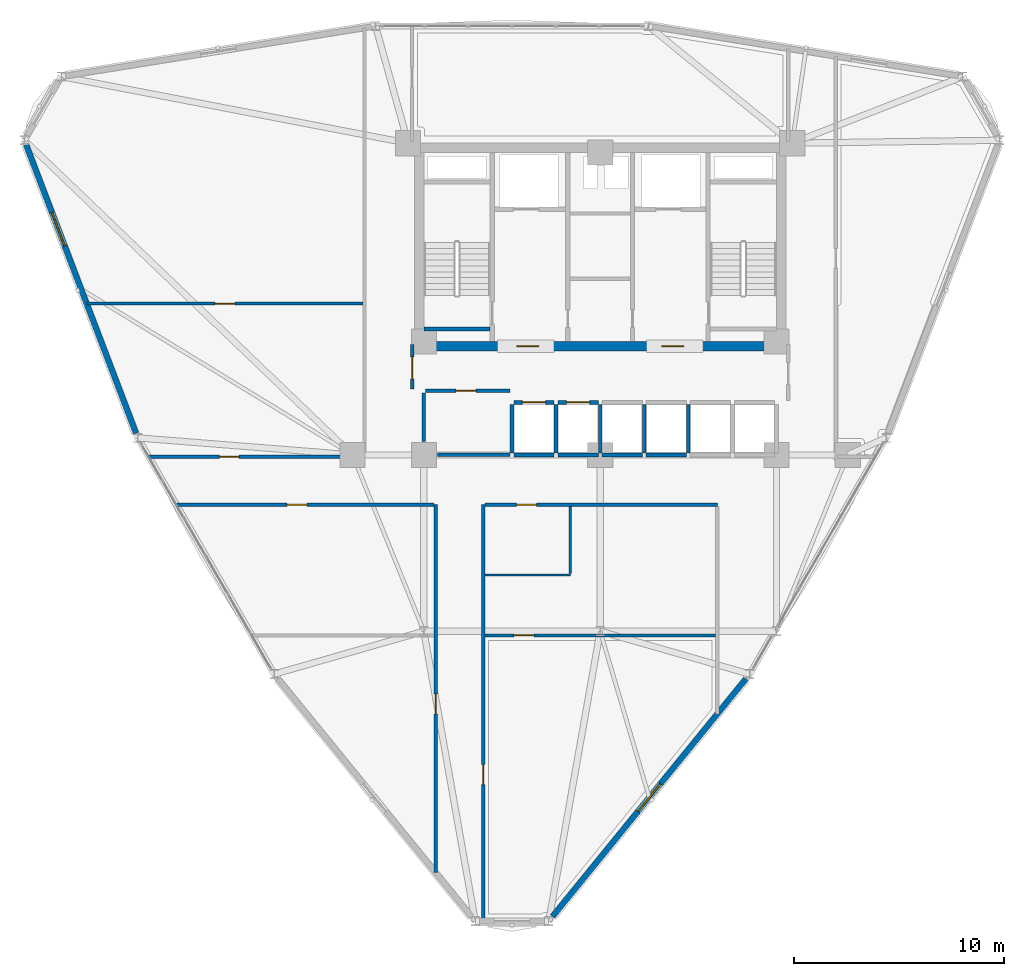
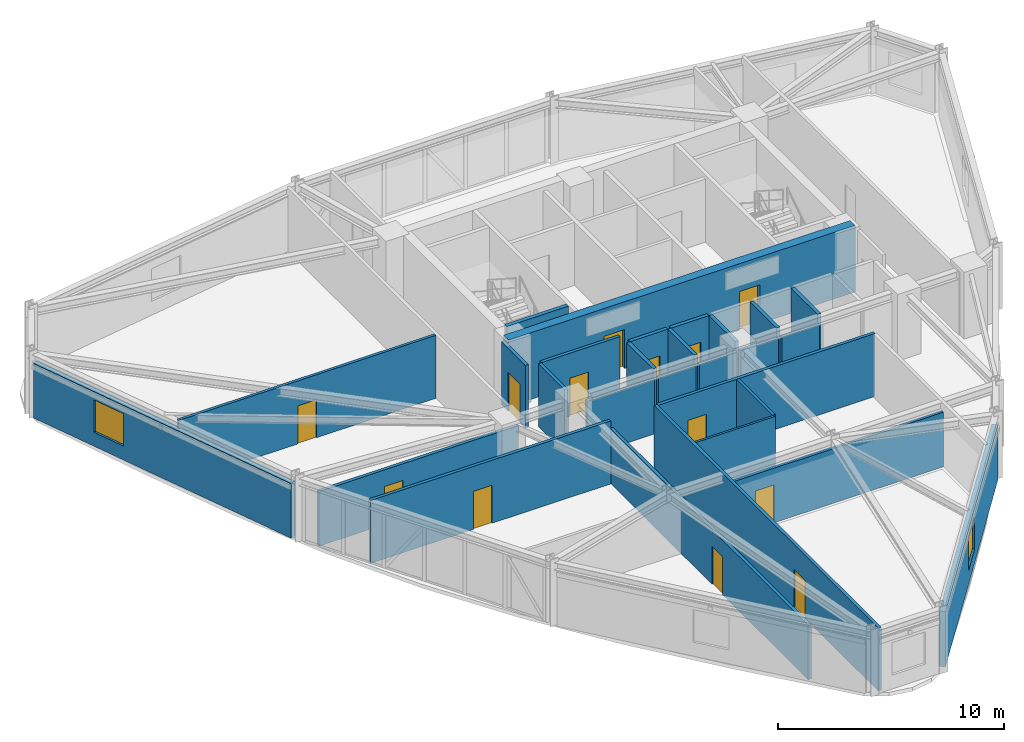
# One storey, part 10 of 15: 28 walls, 13 doors, 2 windows, 15 openings.
"""IFC4 building model written with IfcOpenShell, lengths in metres."""

from ifc_helpers import new_model, si_unit, derived_unit, direction, frame, frame_2d, origin, place, context, subcontext, project, spatial, rectangle, extrude, material, layer, layer_set, type_object, element, fill, save


model = new_model("IFC4")

# Units and contexts
model_context = context("Model", 3, precision=1e-05, world=origin(), true_north=direction((0.0, 1.0)))
body_context = subcontext(model_context, "Body", "Model", "MODEL_VIEW")
ifc_project = project(units=[si_unit("LENGTHUNIT", "METRE"), si_unit("AREAUNIT", "SQUARE_METRE"), si_unit("VOLUMEUNIT", "CUBIC_METRE"), si_unit("PLANEANGLEUNIT", "RADIAN"), si_unit("MASSUNIT", "GRAM", prefix="KILO"), derived_unit("THERMALTRANSMITTANCEUNIT", [(si_unit("POWERUNIT", "WATT"), 1), (si_unit("LENGTHUNIT", "METRE"), -2), (si_unit("THERMODYNAMICTEMPERATUREUNIT", "KELVIN"), -1)])], contexts=[model_context])

# Site, building, storey
site_placement = place(None, origin())
site = spatial("IfcSite", under=ifc_project, at=site_placement, CompositionType="ELEMENT")
building_placement = place(site_placement, origin())
building = spatial("IfcBuilding", under=site, at=building_placement, Name="Korsvarv Bourse and Concert Hall", CompositionType="ELEMENT")
storey_placement = place(building_placement, frame((0.0, 0.0, 150.60009765625)))
storey = spatial("IfcBuildingStorey", under=building, at=storey_placement, Name="L38", CompositionType="ELEMENT", Elevation=150.60009765625)

# Wall
ifc_material_1 = material(Name="Concrete C50/60", Category="concrete")
ifc_layer_1 = layer(ifc_material_1, 0.3798828125)
ifc_layer_set_1 = layer_set([ifc_layer_1], Name="Concrete C50/60")
wall_type_1 = type_object("IfcWallType", Name="WL-CORE-380", PredefinedType="SHEAR", material=ifc_layer_set_1)
wall_1_placement = place(storey_placement, frame((27.610107421875, 38.39990234375, 0.0), z_axis=(0.0, 0.0, 1.0), x_axis=(1.0, 0.0, 0.0)))
element("IfcWall", 1, at=wall_1_placement, inside=storey, type_object=wall_type_1, Name="L38 stair shaft structural wall W-L38-ST1-S", PredefinedType="SHEAR", context=body_context, shape_type="SweptSolid", body=[
    extrude(rectangle(XDim=3.139892578125, YDim=0.199951171875, at=frame_2d((1.56982421875, 0.0))), origin(), (0.0, 0.0, 1.0), 3.599853515625),
])

# Wall, openings, doors
ifc_material_2 = material(Name="Concrete C55/67", Category="concrete")
ifc_layer_2 = layer(ifc_material_2, 0.449951171875)
ifc_layer_set_2 = layer_set([ifc_layer_2], Name="Concrete C55/67")
wall_type_2 = type_object("IfcWallType", Name="WL-CORE-450", PredefinedType="SHEAR", material=ifc_layer_set_2)
wall_2_placement = place(storey_placement, frame((27.14990234375, 37.574951171875, 0.0), z_axis=(0.0, 0.0, 1.0), x_axis=(1.0, 0.0, 0.0)))
wall_2 = element("IfcWall", 2, at=wall_2_placement, inside=storey, type_object=wall_type_2, Name="L38 South Core Shear Wall", PredefinedType="SHEAR", context=body_context, shape_type="SweptSolid", body=[
    extrude(rectangle(XDim=17.7001953125, YDim=0.449951171875, at=frame_2d((8.85009765625, 0.0))), origin(), (0.0, 0.0, 1.0), 3.599853515625),
])
opening_1_placement = place(wall_2_placement, frame((4.875, 0.0, 0.0)))
opening_1 = element("IfcOpeningElement", 3, at=opening_1_placement, cuts=wall_2, Name="Opening D-01", PredefinedType="OPENING", context=body_context, shape_type="SweptSolid", body=[
    extrude(rectangle(XDim=1.050048828125, YDim=2.10009765625, at=frame_2d((0.52490234375, 1.050048828125))), frame((0.0, 0.23486328125, 0.0), z_axis=(0.0, -1.0, 0.0), x_axis=(1.0, 0.0, 0.0)), (0.0, 0.0, 1.0), 0.469970703125),
])
opening_2_placement = place(wall_2_placement, frame((11.77490234375, 0.0, 0.0)))
opening_2 = element("IfcOpeningElement", 4, at=opening_2_placement, cuts=wall_2, Name="Opening D-01", PredefinedType="OPENING", context=body_context, shape_type="SweptSolid", body=[
    extrude(rectangle(XDim=1.050048828125, YDim=2.10009765625, at=frame_2d((0.52490234375, 1.050048828125))), frame((0.0, 0.23486328125, 0.0), z_axis=(0.0, -1.0, 0.0), x_axis=(1.0, 0.0, 0.0)), (0.0, 0.0, 1.0), 0.469970703125),
])
ifc_material_3 = material(Name="Steel S355 fire door", Category="steel")
door_type_1 = type_object("IfcDoorType", Name="DR-FD60", OperationType="NOTDEFINED", PredefinedType="DOOR", material=ifc_material_3)
door_1_placement = place(opening_1_placement, frame((1.050048828125, 0.0, 0.0), z_axis=(0.0, 0.0, 1.0), x_axis=(-1.0, 0.0, 0.0)))
door_1 = element("IfcDoor", 5, at=door_1_placement, inside=storey, type_object=door_type_1, Name="L38 firefighting lobby fire door DR-L38-FFLW", OperationType="SINGLE_SWING_LEFT", OverallHeight=2.10009765625, OverallWidth=1.050048828125, PredefinedType="DOOR", context=body_context, shape_type="SweptSolid", body=[
    extrude(rectangle(XDim=1.050048828125, YDim=2.10009765625, at=frame_2d((0.52490234375, 1.050048828125))), frame((0.0, 0.02490234375, 0.0), z_axis=(0.0, -1.0, 0.0), x_axis=(1.0, 0.0, 0.0)), (0.0, 0.0, 1.0), 0.050048828125),
])
fill(opening_1, door_1)
door_2_placement = place(opening_2_placement, frame((1.050048828125, 0.0, 0.0), z_axis=(0.0, 0.0, 1.0), x_axis=(-1.0, 0.0, 0.0)))
door_2 = element("IfcDoor", 6, at=door_2_placement, inside=storey, type_object=door_type_1, Name="L38 firefighting lobby fire door DR-L38-FFLE", OperationType="SINGLE_SWING_RIGHT", OverallHeight=2.10009765625, OverallWidth=1.050048828125, PredefinedType="DOOR", context=body_context, shape_type="SweptSolid", body=[
    extrude(rectangle(XDim=1.050048828125, YDim=2.10009765625, at=frame_2d((0.52490234375, 1.050048828125))), frame((0.0, 0.02490234375, 0.0), z_axis=(0.0, -1.0, 0.0), x_axis=(1.0, 0.0, 0.0)), (0.0, 0.0, 1.0), 0.050048828125),
])
fill(opening_2, door_2)

# Wall, opening, window
ifc_material_4 = material(Name="Precast concrete C45/55 with fluted terracotta pier", Category="concrete")
ifc_layer_3 = layer(ifc_material_4, 0.280029296875)
ifc_layer_set_3 = layer_set([ifc_layer_3], Name="Precast concrete C45/55 with fluted terracotta pier")
wall_type_3 = type_object("IfcWallType", Name="WL-EXT-TC2", PredefinedType="SOLIDWALL", material=ifc_layer_set_3)
wall_3_placement = place(storey_placement, frame((8.65087890625, 47.16748046875, 0.0), z_axis=(0.0, 0.0, 1.0), x_axis=(0.356077530784, -0.934456415287, 0.0)))
wall_3 = element("IfcWall", 7, at=wall_3_placement, inside=storey, type_object=wall_type_3, Name="L38 terracotta exterior wall EW-L38-B06", PredefinedType="SOLIDWALL", context=body_context, shape_type="SweptSolid", body=[
    extrude(rectangle(XDim=14.69677734375, YDim=0.280029296875, at=frame_2d((7.348388671875, 0.0))), origin(), (0.0, 0.0, 1.0), 2.949951171875),
])
opening_3_placement = place(wall_3_placement, frame((3.44921875, 0.0, 0.75)))
opening_3 = element("IfcOpeningElement", 8, at=opening_3_placement, cuts=wall_3, Name="Opening W-01", PredefinedType="OPENING", context=body_context, shape_type="SweptSolid", body=[
    extrude(rectangle(XDim=1.699951171875, YDim=1.75, at=frame_2d((0.85009765625, 0.875))), frame((0.0, 0.14990234375, 0.0), z_axis=(0.0, -1.0, 0.0), x_axis=(1.0, 0.0, 0.0)), (0.0, 0.0, 1.0), 0.300048828125),
])
ifc_material_5 = material(Name="Thermally broken aluminium frame with triple low-E glass", Category="glass")
window_type = type_object("IfcWindowType", Name="WIN-TW1", PartitioningType="SINGLE_PANEL", PredefinedType="WINDOW", material=ifc_material_5)
window_1_placement = place(opening_3_placement, origin())
window_1 = element("IfcWindow", 9, at=window_1_placement, inside=storey, type_object=window_type, Name="L38 punched facade window W-01", OverallHeight=1.75, OverallWidth=1.699951171875, PartitioningType="SINGLE_PANEL", PredefinedType="WINDOW", context=body_context, shape_type="SweptSolid", body=[
    extrude(rectangle(XDim=1.699951171875, YDim=1.75, at=frame_2d((0.85009765625, 0.875))), frame((0.0, 0.030029296875, 0.0), z_axis=(0.0, -1.0, 0.0), x_axis=(1.0, 0.0, 0.0)), (0.0, 0.0, 1.0), 0.06005859375),
])
fill(opening_3, window_1)

wall_4_placement = place(storey_placement, frame((33.73388671875, 10.40625, 0.0), z_axis=(0.0, 0.0, 1.0), x_axis=(0.631219465915, 0.775604271423, 0.0)))
wall_4 = element("IfcWall", 10, at=wall_4_placement, inside=storey, type_object=wall_type_3, Name="L38 terracotta exterior wall EW-L38-B10", PredefinedType="SOLIDWALL", context=body_context, shape_type="SweptSolid", body=[
    extrude(rectangle(XDim=14.599365234375, YDim=0.280029296875, at=frame_2d((7.2998046875, 0.0))), origin(), (0.0, 0.0, 1.0), 3.0),
])
opening_4_placement = place(wall_4_placement, frame((6.44970703125, 0.0, 0.75)))
opening_4 = element("IfcOpeningElement", 11, at=opening_4_placement, cuts=wall_4, Name="Opening W-01", PredefinedType="OPENING", context=body_context, shape_type="SweptSolid", body=[
    extrude(rectangle(XDim=1.699951171875, YDim=1.75, at=frame_2d((0.85009765625, 0.875))), frame((0.0, 0.14990234375, 0.0), z_axis=(0.0, -1.0, 0.0), x_axis=(1.0, 0.0, 0.0)), (0.0, 0.0, 1.0), 0.300048828125),
])
window_2_placement = place(opening_4_placement, origin())
window_2 = element("IfcWindow", 12, at=window_2_placement, inside=storey, type_object=window_type, Name="L38 punched facade window W-01", OverallHeight=1.75, OverallWidth=1.699951171875, PartitioningType="SINGLE_PANEL", PredefinedType="WINDOW", context=body_context, shape_type="SweptSolid", body=[
    extrude(rectangle(XDim=1.699951171875, YDim=1.75, at=frame_2d((0.85009765625, 0.875))), frame((0.0, 0.030029296875, 0.0), z_axis=(0.0, -1.0, 0.0), x_axis=(1.0, 0.0, 0.0)), (0.0, 0.0, 1.0), 0.06005859375),
])
fill(opening_4, window_2)

# Walls
ifc_material_6 = material(Name="Double-stud fire-rated acoustic partition", Category="gypsum")
ifc_layer_4 = layer(ifc_material_6, 0.159912109375)
ifc_layer_set_4 = layer_set([ifc_layer_4], Name="Double-stud fire-rated acoustic partition")
wall_type_4 = type_object("IfcWallType", Name="WL-INT-EI60", PredefinedType="PARTITIONING", material=ifc_layer_set_4)
wall_5_placement = place(storey_placement, frame((28.25, 32.39990234375, 0.0), z_axis=(0.0, 0.0, 1.0), x_axis=(1.0, 0.0, 0.0)))
element("IfcWall", 13, at=wall_5_placement, inside=storey, type_object=wall_type_4, Name="L38 interior partition wall W-L38-FRD-S", PredefinedType="PARTITIONING", context=body_context, shape_type="SweptSolid", body=[
    extrude(rectangle(XDim=3.449951171875, YDim=0.159912109375, at=frame_2d((1.72509765625, 0.0))), origin(), (0.0, 0.0, 1.0), 2.949951171875),
])
wall_6_placement = place(storey_placement, frame((27.60009765625, 33.050048828125, 0.0), z_axis=(0.0, 0.0, 1.0), x_axis=(0.0, 1.0, 0.0)))
element("IfcWall", 14, at=wall_6_placement, inside=storey, type_object=wall_type_4, Name="L38 interior partition wall W-L38-FRD-W", PredefinedType="PARTITIONING", context=body_context, shape_type="SweptSolid", body=[
    extrude(rectangle(XDim=2.31005859375, YDim=0.159912109375, at=frame_2d((1.155029296875, 0.0))), origin(), (0.0, 0.0, 1.0), 3.39990234375),
])

# Wall, opening, door
wall_7_placement = place(storey_placement, frame((27.68994140625, 35.449951171875, 0.0), z_axis=(0.0, 0.0, 1.0), x_axis=(1.0, 0.0, 0.0)))
wall_7 = element("IfcWall", 15, at=wall_7_placement, inside=storey, type_object=wall_type_4, Name="L38 interior partition wall W-L38-FRD-N", PredefinedType="PARTITIONING", context=body_context, shape_type="SweptSolid", body=[
    extrude(rectangle(XDim=4.010009765625, YDim=0.159912109375, at=frame_2d((2.0048828125, 0.0))), origin(), (0.0, 0.0, 1.0), 3.39990234375),
])
opening_5_placement = place(wall_7_placement, frame((1.449951171875, 0.0, 0.0)))
opening_5 = element("IfcOpeningElement", 16, at=opening_5_placement, cuts=wall_7, Name="Opening D-03", PredefinedType="OPENING", context=body_context, shape_type="SweptSolid", body=[
    extrude(rectangle(XDim=0.949951171875, YDim=2.050048828125, at=frame_2d((0.47509765625, 1.02490234375))), frame((0.0, 0.08984375, 0.0), z_axis=(0.0, -1.0, 0.0), x_axis=(1.0, 0.0, 0.0)), (0.0, 0.0, 1.0), 0.179931640625),
])
ifc_material_7 = material(Name="Nordic oak acoustic office door", Category="wood")
door_type_2 = type_object("IfcDoorType", Name="DR-INT-1", OperationType="NOTDEFINED", PredefinedType="DOOR", material=ifc_material_7)
door_3_placement = place(opening_5_placement, origin())
door_3 = element("IfcDoor", 17, at=door_3_placement, inside=storey, type_object=door_type_2, Name="L38 interior door DR-L38-FRDN1", OperationType="SINGLE_SWING_LEFT", OverallHeight=2.050048828125, OverallWidth=0.949951171875, PredefinedType="DOOR", context=body_context, shape_type="SweptSolid", body=[
    extrude(rectangle(XDim=0.949951171875, YDim=2.050048828125, at=frame_2d((0.47509765625, 1.02490234375))), frame((0.0, 0.02490234375, 0.0), z_axis=(0.0, -1.0, 0.0), x_axis=(1.0, 0.0, 0.0)), (0.0, 0.0, 1.0), 0.050048828125),
])
fill(opening_5, door_3)

wall_8_placement = place(storey_placement, frame((27.0400390625, 35.5400390625, 0.0), z_axis=(0.0, 0.0, 1.0), x_axis=(0.0, 1.0, 0.0)))
wall_8 = element("IfcWall", 18, at=wall_8_placement, inside=storey, type_object=wall_type_4, Name="L38 interior partition wall W-L38-LOB-WL", PredefinedType="PARTITIONING", context=body_context, shape_type="SweptSolid", body=[
    extrude(rectangle(XDim=2.10986328125, YDim=0.159912109375, at=frame_2d((1.054931640625, 0.0))), origin(), (0.0, 0.0, 1.0), 3.39990234375),
])
opening_6_placement = place(wall_8_placement, frame((0.47998046875, 0.0, 0.0)))
opening_6 = element("IfcOpeningElement", 19, at=opening_6_placement, cuts=wall_8, Name="Opening D-01", PredefinedType="OPENING", context=body_context, shape_type="SweptSolid", body=[
    extrude(rectangle(XDim=1.050048828125, YDim=2.10009765625, at=frame_2d((0.52490234375, 1.050048828125))), frame((0.0, 0.08984375, 0.0), z_axis=(0.0, -1.0, 0.0), x_axis=(1.0, 0.0, 0.0)), (0.0, 0.0, 1.0), 0.179931640625),
])
door_4_placement = place(opening_6_placement, frame((1.050048828125, 0.0, 0.0), z_axis=(0.0, 0.0, 1.0), x_axis=(-1.0, 0.0, 0.0)))
door_4 = element("IfcDoor", 20, at=door_4_placement, inside=storey, type_object=door_type_1, Name="L38 interior door DR-L38-LOBW", OperationType="SINGLE_SWING_RIGHT", OverallHeight=2.10009765625, OverallWidth=1.050048828125, PredefinedType="DOOR", context=body_context, shape_type="SweptSolid", body=[
    extrude(rectangle(XDim=1.050048828125, YDim=2.10009765625, at=frame_2d((0.52490234375, 1.050048828125))), frame((0.0, 0.02490234375, 0.0), z_axis=(0.0, -1.0, 0.0), x_axis=(1.0, 0.0, 0.0)), (0.0, 0.0, 1.0), 0.050048828125),
])
fill(opening_6, door_4)

wall_9_placement = place(storey_placement, frame((30.425048828125, 10.203857421875, 0.0), z_axis=(0.0, 0.0, 1.0), x_axis=(0.0, 1.0, 0.0)))
wall_9 = element("IfcWall", 21, at=wall_9_placement, inside=storey, type_object=wall_type_4, Name="L38 interior partition wall W-L38-TCOR-02", PredefinedType="PARTITIONING", context=body_context, shape_type="SweptSolid", body=[
    extrude(rectangle(XDim=19.826171875, YDim=0.159912109375, at=frame_2d((9.9130859375, 0.0))), origin(), (0.0, 0.0, 1.0), 3.39990234375),
])
opening_7_placement = place(wall_9_placement, frame((6.484375, 0.0, 0.0)))
opening_7 = element("IfcOpeningElement", 22, at=opening_7_placement, cuts=wall_9, Name="Opening D-02", PredefinedType="OPENING", context=body_context, shape_type="SweptSolid", body=[
    extrude(rectangle(XDim=0.949951171875, YDim=2.050048828125, at=frame_2d((0.47509765625, 1.02490234375))), frame((0.0, 0.08984375, 0.0), z_axis=(0.0, -1.0, 0.0), x_axis=(1.0, 0.0, 0.0)), (0.0, 0.0, 1.0), 0.179931640625),
])
ifc_material_8 = material(Name="Timber and steel acoustic fire door", Category="wood")
door_type_3 = type_object("IfcDoorType", Name="DR-FD30", OperationType="NOTDEFINED", PredefinedType="DOOR", material=ifc_material_8)
door_5_placement = place(opening_7_placement, origin())
door_5 = element("IfcDoor", 23, at=door_5_placement, inside=storey, type_object=door_type_3, Name="L38 interior door DR-L38-TCOR-BAR3", OperationType="SINGLE_SWING_RIGHT", OverallHeight=2.050048828125, OverallWidth=0.949951171875, PredefinedType="DOOR", context=body_context, shape_type="SweptSolid", body=[
    extrude(rectangle(XDim=0.949951171875, YDim=2.050048828125, at=frame_2d((0.47509765625, 1.02490234375))), frame((0.0, 0.02490234375, 0.0), z_axis=(0.0, -1.0, 0.0), x_axis=(1.0, 0.0, 0.0)), (0.0, 0.0, 1.0), 0.050048828125),
])
fill(opening_7, door_5)

wall_10_placement = place(storey_placement, frame((28.175048828125, 12.504150390625, 0.0), z_axis=(0.0, 0.0, 1.0), x_axis=(0.0, 1.0, 0.0)))
wall_10 = element("IfcWall", 24, at=wall_10_placement, inside=storey, type_object=wall_type_4, Name="L38 interior partition wall W-L38-TCOR-04", PredefinedType="PARTITIONING", context=body_context, shape_type="SweptSolid", body=[
    extrude(rectangle(XDim=17.52587890625, YDim=0.159912109375, at=frame_2d((8.762939453125, 0.0))), origin(), (0.0, 0.0, 1.0), 2.949951171875),
])
opening_8_placement = place(wall_10_placement, frame((7.55712890625, 0.0, 0.0)))
opening_8 = element("IfcOpeningElement", 25, at=opening_8_placement, cuts=wall_10, Name="Opening D-02", PredefinedType="OPENING", context=body_context, shape_type="SweptSolid", body=[
    extrude(rectangle(XDim=0.949951171875, YDim=2.050048828125, at=frame_2d((0.47509765625, 1.02490234375))), frame((0.0, 0.08984375, 0.0), z_axis=(0.0, -1.0, 0.0), x_axis=(1.0, 0.0, 0.0)), (0.0, 0.0, 1.0), 0.179931640625),
])
door_6_placement = place(opening_8_placement, origin())
door_6 = element("IfcDoor", 26, at=door_6_placement, inside=storey, type_object=door_type_3, Name="L38 interior door DR-L38-TCOR-EDR5", OperationType="SINGLE_SWING_RIGHT", OverallHeight=2.050048828125, OverallWidth=0.949951171875, PredefinedType="DOOR", context=body_context, shape_type="SweptSolid", body=[
    extrude(rectangle(XDim=0.949951171875, YDim=2.050048828125, at=frame_2d((0.47509765625, 1.02490234375))), frame((0.0, 0.02490234375, 0.0), z_axis=(0.0, -1.0, 0.0), x_axis=(1.0, 0.0, 0.0)), (0.0, 0.0, 1.0), 0.050048828125),
])
fill(opening_8, door_6)

wall_11_placement = place(storey_placement, frame((15.82861328125, 30.02490234375, 0.0), z_axis=(0.0, 0.0, 1.0), x_axis=(1.0, 0.0, 0.0)))
wall_11 = element("IfcWall", 27, at=wall_11_placement, inside=storey, type_object=wall_type_4, Name="L38 interior partition wall W-L38-TCOR-05", PredefinedType="PARTITIONING", context=body_context, shape_type="SweptSolid", body=[
    extrude(rectangle(XDim=12.264404296875, YDim=0.159912109375, at=frame_2d((6.13232421875, 0.0))), origin(), (0.0, 0.0, 1.0), 3.39990234375),
])
opening_9_placement = place(wall_11_placement, frame((5.245361328125, 0.0, 0.0)))
opening_9 = element("IfcOpeningElement", 28, at=opening_9_placement, cuts=wall_11, Name="Opening D-02", PredefinedType="OPENING", context=body_context, shape_type="SweptSolid", body=[
    extrude(rectangle(XDim=0.949951171875, YDim=2.050048828125, at=frame_2d((0.47509765625, 1.02490234375))), frame((0.0, 0.08984375, 0.0), z_axis=(0.0, -1.0, 0.0), x_axis=(1.0, 0.0, 0.0)), (0.0, 0.0, 1.0), 0.179931640625),
])
door_7_placement = place(opening_9_placement, origin())
door_7 = element("IfcDoor", 29, at=door_7_placement, inside=storey, type_object=door_type_3, Name="L38 interior door DR-L38-TCOR-WDR6", OperationType="SINGLE_SWING_LEFT", OverallHeight=2.050048828125, OverallWidth=0.949951171875, PredefinedType="DOOR", context=body_context, shape_type="SweptSolid", body=[
    extrude(rectangle(XDim=0.949951171875, YDim=2.050048828125, at=frame_2d((0.47509765625, 1.02490234375))), frame((0.0, 0.02490234375, 0.0), z_axis=(0.0, -1.0, 0.0), x_axis=(1.0, 0.0, 0.0)), (0.0, 0.0, 1.0), 0.050048828125),
])
fill(opening_9, door_7)

wall_12_placement = place(storey_placement, frame((30.507080078125, 30.02490234375, 0.0), z_axis=(0.0, 0.0, 1.0), x_axis=(1.0, 0.0, 0.0)))
wall_12 = element("IfcWall", 30, at=wall_12_placement, inside=storey, type_object=wall_type_4, Name="L38 interior partition wall W-L38-TCOR-06", PredefinedType="PARTITIONING", context=body_context, shape_type="SweptSolid", body=[
    extrude(rectangle(XDim=11.072998046875, YDim=0.159912109375, at=frame_2d((5.53662109375, 0.0))), origin(), (0.0, 0.0, 1.0), 3.39990234375),
])
opening_10_placement = place(wall_12_placement, frame((1.51220703125, 0.0, 0.0)))
opening_10 = element("IfcOpeningElement", 31, at=opening_10_placement, cuts=wall_12, Name="Opening D-02", PredefinedType="OPENING", context=body_context, shape_type="SweptSolid", body=[
    extrude(rectangle(XDim=0.949951171875, YDim=2.050048828125, at=frame_2d((0.47509765625, 1.02490234375))), frame((0.0, 0.08984375, 0.0), z_axis=(0.0, -1.0, 0.0), x_axis=(1.0, 0.0, 0.0)), (0.0, 0.0, 1.0), 0.179931640625),
])
door_8_placement = place(opening_10_placement, origin())
door_8 = element("IfcDoor", 32, at=door_8_placement, inside=storey, type_object=door_type_3, Name="L38 interior door DR-L38-TCOR-RWC", OperationType="SINGLE_SWING_RIGHT", OverallHeight=2.050048828125, OverallWidth=0.949951171875, PredefinedType="DOOR", context=body_context, shape_type="SweptSolid", body=[
    extrude(rectangle(XDim=0.949951171875, YDim=2.050048828125, at=frame_2d((0.47509765625, 1.02490234375))), frame((0.0, 0.02490234375, 0.0), z_axis=(0.0, -1.0, 0.0), x_axis=(1.0, 0.0, 0.0)), (0.0, 0.0, 1.0), 0.050048828125),
])
fill(opening_10, door_8)

wall_13_placement = place(storey_placement, frame((14.506591796875, 32.31494140625, 0.0), z_axis=(0.0, 0.0, 1.0), x_axis=(1.0, 0.0, 0.0)))
wall_13 = element("IfcWall", 33, at=wall_13_placement, inside=storey, type_object=wall_type_4, Name="L38 interior partition wall W-L38-TCOR-07", PredefinedType="PARTITIONING", context=body_context, shape_type="SweptSolid", body=[
    extrude(rectangle(XDim=10.1865234375, YDim=0.159912109375, at=frame_2d((5.09326171875, 0.0))), origin(), (0.0, 0.0, 1.0), 2.949951171875),
])
opening_11_placement = place(wall_13_placement, frame((3.346923828125, 0.0, 0.0)))
opening_11 = element("IfcOpeningElement", 34, at=opening_11_placement, cuts=wall_13, Name="Opening D-02", PredefinedType="OPENING", context=body_context, shape_type="SweptSolid", body=[
    extrude(rectangle(XDim=0.949951171875, YDim=2.050048828125, at=frame_2d((0.47509765625, 1.02490234375))), frame((0.0, 0.08984375, 0.0), z_axis=(0.0, -1.0, 0.0), x_axis=(1.0, 0.0, 0.0)), (0.0, 0.0, 1.0), 0.179931640625),
])
door_9_placement = place(opening_11_placement, origin())
door_9 = element("IfcDoor", 35, at=door_9_placement, inside=storey, type_object=door_type_3, Name="L38 interior door DR-L38-TCOR-KIT7", OperationType="SINGLE_SWING_LEFT", OverallHeight=2.050048828125, OverallWidth=0.949951171875, PredefinedType="DOOR", context=body_context, shape_type="SweptSolid", body=[
    extrude(rectangle(XDim=0.949951171875, YDim=2.050048828125, at=frame_2d((0.47509765625, 1.02490234375))), frame((0.0, 0.02490234375, 0.0), z_axis=(0.0, -1.0, 0.0), x_axis=(1.0, 0.0, 0.0)), (0.0, 0.0, 1.0), 0.050048828125),
])
fill(opening_11, door_9)

ifc_material_9 = material(Name="Gypsum-clad autoclaved concrete shaft wall C30/37", Category="concrete")
ifc_layer_5 = layer(ifc_material_9, 0.179931640625)
ifc_layer_set_5 = layer_set([ifc_layer_5], Name="Gypsum-clad autoclaved concrete shaft wall C30/37")
wall_type_5 = type_object("IfcWallType", Name="WL-INT-EI90", PredefinedType="PARTITIONING", material=ifc_layer_set_5)
wall_14_placement = place(storey_placement, frame((31.889892578125, 34.89990234375, 0.0), z_axis=(0.0, 0.0, 1.0), x_axis=(1.0, 0.0, 0.0)))
wall_14 = element("IfcWall", 36, at=wall_14_placement, inside=storey, type_object=wall_type_5, Name="L38 interior partition wall W-L38-SHFN-PM1", PredefinedType="PARTITIONING", context=body_context, shape_type="SweptSolid", body=[
    extrude(rectangle(XDim=1.920166015625, YDim=0.179931640625, at=frame_2d((0.9599609375, 0.0))), origin(), (0.0, 0.0, 1.0), 3.39990234375),
])
opening_12_placement = place(wall_14_placement, frame((0.409912109375, 0.0, 0.0)))
opening_12 = element("IfcOpeningElement", 37, at=opening_12_placement, cuts=wall_14, Name="Opening LD-2", PredefinedType="OPENING", context=body_context, shape_type="SweptSolid", body=[
    extrude(rectangle(XDim=1.10009765625, YDim=2.10009765625, at=frame_2d((0.550048828125, 1.050048828125))), frame((0.0, 0.10009765625, 0.0), z_axis=(0.0, -1.0, 0.0), x_axis=(1.0, 0.0, 0.0)), (0.0, 0.0, 1.0), 0.199951171875),
])
ifc_material_10 = material(Name="Brushed stainless Steel S355 lift landing door", Category="steel")
door_type_4 = type_object("IfcDoorType", Name="DR-LIFT-P", OperationType="DOUBLE_DOOR_SLIDING", PredefinedType="DOOR", material=ifc_material_10)
door_10_placement = place(opening_12_placement, origin())
door_10 = element("IfcDoor", 38, at=door_10_placement, inside=storey, type_object=door_type_4, Name="L38 lift sliding landing door LD-L38-PM1", OperationType="DOUBLE_DOOR_SLIDING", OverallHeight=2.10009765625, OverallWidth=1.10009765625, PredefinedType="DOOR", context=body_context, shape_type="SweptSolid", body=[
    extrude(rectangle(XDim=1.10009765625, YDim=2.10009765625, at=frame_2d((0.550048828125, 1.050048828125))), frame((0.0, 0.02490234375, 0.0), z_axis=(0.0, -1.0, 0.0), x_axis=(1.0, 0.0, 0.0)), (0.0, 0.0, 1.0), 0.050048828125),
])
fill(opening_12, door_10)

# Walls
wall_15_placement = place(storey_placement, frame((31.889892578125, 32.39990234375, 0.0), z_axis=(0.0, 0.0, 1.0), x_axis=(1.0, 0.0, 0.0)))
element("IfcWall", 39, at=wall_15_placement, inside=storey, type_object=wall_type_5, Name="L38 interior partition wall W-L38-SHFS-PM1", PredefinedType="PARTITIONING", context=body_context, shape_type="SweptSolid", body=[
    extrude(rectangle(XDim=1.920166015625, YDim=0.179931640625, at=frame_2d((0.9599609375, 0.0))), origin(), (0.0, 0.0, 1.0), 2.949951171875),
])
wall_16_placement = place(storey_placement, frame((31.800048828125, 32.489990234375, 0.0), z_axis=(0.0, 0.0, 1.0), x_axis=(0.0, 1.0, 0.0)))
element("IfcWall", 40, at=wall_16_placement, inside=storey, type_object=wall_type_5, Name="L38 interior partition wall W-L38-SHFW-PM1", PredefinedType="PARTITIONING", context=body_context, shape_type="SweptSolid", body=[
    extrude(rectangle(XDim=2.320068359375, YDim=0.179931640625, at=frame_2d((1.16015625, 0.0))), origin(), (0.0, 0.0, 1.0), 3.39990234375),
])

# Wall, opening, door
wall_17_placement = place(storey_placement, frame((33.989990234375, 34.89990234375, 0.0), z_axis=(0.0, 0.0, 1.0), x_axis=(1.0, 0.0, 0.0)))
wall_17 = element("IfcWall", 41, at=wall_17_placement, inside=storey, type_object=wall_type_5, Name="L38 interior partition wall W-L38-SHFN-PM2", PredefinedType="PARTITIONING", context=body_context, shape_type="SweptSolid", body=[
    extrude(rectangle(XDim=1.919921875, YDim=0.179931640625, at=frame_2d((0.9599609375, 0.0))), origin(), (0.0, 0.0, 1.0), 3.39990234375),
])
opening_13_placement = place(wall_17_placement, frame((0.409912109375, 0.0, 0.0)))
opening_13 = element("IfcOpeningElement", 42, at=opening_13_placement, cuts=wall_17, Name="Opening LD-2", PredefinedType="OPENING", context=body_context, shape_type="SweptSolid", body=[
    extrude(rectangle(XDim=1.10009765625, YDim=2.10009765625, at=frame_2d((0.550048828125, 1.050048828125))), frame((0.0, 0.10009765625, 0.0), z_axis=(0.0, -1.0, 0.0), x_axis=(1.0, 0.0, 0.0)), (0.0, 0.0, 1.0), 0.199951171875),
])
door_11_placement = place(opening_13_placement, origin())
door_11 = element("IfcDoor", 43, at=door_11_placement, inside=storey, type_object=door_type_4, Name="L38 lift sliding landing door LD-L38-PM2", OperationType="DOUBLE_DOOR_SLIDING", OverallHeight=2.10009765625, OverallWidth=1.10009765625, PredefinedType="DOOR", context=body_context, shape_type="SweptSolid", body=[
    extrude(rectangle(XDim=1.10009765625, YDim=2.10009765625, at=frame_2d((0.550048828125, 1.050048828125))), frame((0.0, 0.02490234375, 0.0), z_axis=(0.0, -1.0, 0.0), x_axis=(1.0, 0.0, 0.0)), (0.0, 0.0, 1.0), 0.050048828125),
])
fill(opening_13, door_11)

# Walls
wall_18_placement = place(storey_placement, frame((33.989990234375, 32.39990234375, 0.0), z_axis=(0.0, 0.0, 1.0), x_axis=(1.0, 0.0, 0.0)))
element("IfcWall", 44, at=wall_18_placement, inside=storey, type_object=wall_type_5, Name="L38 interior partition wall W-L38-SHFS-PM2", PredefinedType="PARTITIONING", context=body_context, shape_type="SweptSolid", body=[
    extrude(rectangle(XDim=1.919921875, YDim=0.179931640625, at=frame_2d((0.9599609375, 0.0))), origin(), (0.0, 0.0, 1.0), 2.949951171875),
])
wall_19_placement = place(storey_placement, frame((33.89990234375, 32.489990234375, 0.0), z_axis=(0.0, 0.0, 1.0), x_axis=(0.0, 1.0, 0.0)))
element("IfcWall", 45, at=wall_19_placement, inside=storey, type_object=wall_type_5, Name="L38 interior partition wall W-L38-SHFW-PM2", PredefinedType="PARTITIONING", context=body_context, shape_type="SweptSolid", body=[
    extrude(rectangle(XDim=2.320068359375, YDim=0.179931640625, at=frame_2d((1.16015625, 0.0))), origin(), (0.0, 0.0, 1.0), 3.39990234375),
])
wall_20_placement = place(storey_placement, frame((36.090087890625, 32.39990234375, 0.0), z_axis=(0.0, 0.0, 1.0), x_axis=(1.0, 0.0, 0.0)))
element("IfcWall", 46, at=wall_20_placement, inside=storey, type_object=wall_type_5, Name="L38 interior partition wall W-L38-SHFS-PH1", PredefinedType="PARTITIONING", context=body_context, shape_type="SweptSolid", body=[
    extrude(rectangle(XDim=1.919921875, YDim=0.179931640625, at=frame_2d((0.9599609375, 0.0))), origin(), (0.0, 0.0, 1.0), 2.949951171875),
])
wall_21_placement = place(storey_placement, frame((36.0, 32.489990234375, 0.0), z_axis=(0.0, 0.0, 1.0), x_axis=(0.0, 1.0, 0.0)))
element("IfcWall", 47, at=wall_21_placement, inside=storey, type_object=wall_type_5, Name="L38 interior partition wall W-L38-SHFW-PH1", PredefinedType="PARTITIONING", context=body_context, shape_type="SweptSolid", body=[
    extrude(rectangle(XDim=2.320068359375, YDim=0.179931640625, at=frame_2d((1.16015625, 0.0))), origin(), (0.0, 0.0, 1.0), 3.39990234375),
])
wall_22_placement = place(storey_placement, frame((38.18994140625, 32.39990234375, 0.0), z_axis=(0.0, 0.0, 1.0), x_axis=(1.0, 0.0, 0.0)))
element("IfcWall", 48, at=wall_22_placement, inside=storey, type_object=wall_type_5, Name="L38 interior partition wall W-L38-SHFS-PH2", PredefinedType="PARTITIONING", context=body_context, shape_type="SweptSolid", body=[
    extrude(rectangle(XDim=1.920166015625, YDim=0.179931640625, at=frame_2d((0.9599609375, 0.0))), origin(), (0.0, 0.0, 1.0), 2.949951171875),
])
for number, where, z_axis, x_axis, name in (
    (49, (38.10009765625, 32.489990234375, 0.0), (0.0, 0.0, 1.0), (0.0, 1.0, 0.0), "L38 interior partition wall W-L38-SHFW-PH2"),
    (50, (40.199951171875, 32.489990234375, 0.0), (0.0, 0.0, 1.0), (0.0, 1.0, 0.0), "L38 interior partition wall W-L38-SHFW-PO1"),
):
    element("IfcWall", number, at=place(storey_placement, frame(where, z_axis=z_axis, x_axis=x_axis)), inside=storey, type_object=wall_type_5, Name=name, PredefinedType="PARTITIONING", context=body_context, shape_type="SweptSolid", body=[
        extrude(rectangle(XDim=2.320068359375, YDim=0.179931640625, at=frame_2d((1.16015625, 0.0))), origin(), (0.0, 0.0, 1.0), 3.39990234375),
    ])
ifc_material_11 = material(Name="Demountable acoustic glass and aluminium dealing partition", Category="aluminium")
ifc_layer_6 = layer(ifc_material_11, 0.110107421875)
ifc_layer_set_6 = layer_set([ifc_layer_6], Name="Demountable acoustic glass and aluminium dealing partition")
wall_type_6 = type_object("IfcWallType", Name="WL-INT-MOV", PredefinedType="MOVABLE", material=ifc_layer_set_6)
wall_23_placement = place(storey_placement, frame((30.507080078125, 26.675048828125, 0.0), z_axis=(0.0, 0.0, 1.0), x_axis=(1.0, 0.0, 0.0)))
element("IfcWall", 51, at=wall_23_placement, inside=storey, type_object=wall_type_6, Name="L38 interior partition wall W-L38-TCOR-15", PredefinedType="MOVABLE", context=body_context, shape_type="SweptSolid", body=[
    extrude(rectangle(XDim=4.072998046875, YDim=0.110107421875, at=frame_2d((2.03662109375, 0.0))), origin(), (0.0, 0.0, 1.0), 3.39990234375),
])

# Wall, opening, door
ifc_material_12 = material(Name="Insulated steel-stud office acoustic partition", Category="gypsum")
ifc_layer_7 = layer(ifc_material_12, 0.139892578125)
ifc_layer_set_7 = layer_set([ifc_layer_7], Name="Insulated steel-stud office acoustic partition")
wall_type_7 = type_object("IfcWallType", Name="WL-INT-P1", PredefinedType="PARTITIONING", material=ifc_layer_set_7)
wall_24_placement = place(storey_placement, frame((11.552490234375, 39.60498046875, 0.0), z_axis=(0.0, 0.0, 1.0), x_axis=(1.0, 0.0, 0.0)))
wall_24 = element("IfcWall", 52, at=wall_24_placement, inside=storey, type_object=wall_type_7, Name="L38 interior partition wall W-L38-TCOR-12", PredefinedType="PARTITIONING", context=body_context, shape_type="SweptSolid", body=[
    extrude(rectangle(XDim=13.140625, YDim=0.139892578125, at=frame_2d((6.5703125, 0.0))), origin(), (0.0, 0.0, 1.0), 3.39990234375),
])
opening_14_placement = place(wall_24_placement, frame((6.09521484375, 0.0, 0.0)))
opening_14 = element("IfcOpeningElement", 53, at=opening_14_placement, cuts=wall_24, Name="Opening D-03", PredefinedType="OPENING", context=body_context, shape_type="SweptSolid", body=[
    extrude(rectangle(XDim=0.949951171875, YDim=2.050048828125, at=frame_2d((0.47509765625, 1.02490234375))), frame((0.0, 0.080078125, 0.0), z_axis=(0.0, -1.0, 0.0), x_axis=(1.0, 0.0, 0.0)), (0.0, 0.0, 1.0), 0.159912109375),
])
door_12_placement = place(opening_14_placement, origin())
door_12 = element("IfcDoor", 54, at=door_12_placement, inside=storey, type_object=door_type_2, Name="L38 interior door DR-L38-TCOR-PRP8", OperationType="SINGLE_SWING_LEFT", OverallHeight=2.050048828125, OverallWidth=0.949951171875, PredefinedType="DOOR", context=body_context, shape_type="SweptSolid", body=[
    extrude(rectangle(XDim=0.949951171875, YDim=2.050048828125, at=frame_2d((0.47509765625, 1.02490234375))), frame((0.0, 0.02490234375, 0.0), z_axis=(0.0, -1.0, 0.0), x_axis=(1.0, 0.0, 0.0)), (0.0, 0.0, 1.0), 0.050048828125),
])
fill(opening_14, door_12)

wall_25_placement = place(storey_placement, frame((30.507080078125, 23.804931640625, 0.0), z_axis=(0.0, 0.0, 1.0), x_axis=(1.0, 0.0, 0.0)))
wall_25 = element("IfcWall", 55, at=wall_25_placement, inside=storey, type_object=wall_type_7, Name="L38 interior partition wall W-L38-TCOR-13", PredefinedType="PARTITIONING", context=body_context, shape_type="SweptSolid", body=[
    extrude(rectangle(XDim=10.98583984375, YDim=0.139892578125, at=frame_2d((5.492919921875, 0.0))), origin(), (0.0, 0.0, 1.0), 2.949951171875),
])
opening_15_placement = place(wall_25_placement, frame((1.3876953125, 0.0, 0.0)))
opening_15 = element("IfcOpeningElement", 56, at=opening_15_placement, cuts=wall_25, Name="Opening D-03", PredefinedType="OPENING", context=body_context, shape_type="SweptSolid", body=[
    extrude(rectangle(XDim=0.949951171875, YDim=2.050048828125, at=frame_2d((0.47509765625, 1.02490234375))), frame((0.0, 0.080078125, 0.0), z_axis=(0.0, -1.0, 0.0), x_axis=(1.0, 0.0, 0.0)), (0.0, 0.0, 1.0), 0.159912109375),
])
door_13_placement = place(opening_15_placement, origin())
door_13 = element("IfcDoor", 57, at=door_13_placement, inside=storey, type_object=door_type_2, Name="L38 interior door DR-L38-TCOR-RST4", OperationType="SINGLE_SWING_RIGHT", OverallHeight=2.050048828125, OverallWidth=0.949951171875, PredefinedType="DOOR", context=body_context, shape_type="SweptSolid", body=[
    extrude(rectangle(XDim=0.949951171875, YDim=2.050048828125, at=frame_2d((0.47509765625, 1.02490234375))), frame((0.0, 0.02490234375, 0.0), z_axis=(0.0, -1.0, 0.0), x_axis=(1.0, 0.0, 0.0)), (0.0, 0.0, 1.0), 0.050048828125),
])
fill(opening_15, door_13)

# Wall
wall_26_placement = place(storey_placement, frame((34.574951171875, 26.7470703125, 0.0), z_axis=(0.0, 0.0, 1.0), x_axis=(0.0, 1.0, 0.0)))
element("IfcWall", 58, at=wall_26_placement, inside=storey, type_object=wall_type_7, Name="L38 interior partition wall W-L38-TCOR-16", PredefinedType="PARTITIONING", context=body_context, shape_type="SweptSolid", body=[
    extrude(rectangle(XDim=3.196044921875, YDim=0.139892578125, at=frame_2d((1.59814453125, 0.0))), origin(), (0.0, 0.0, 1.0), 3.39990234375),
])

save(model, "model.ifc")
